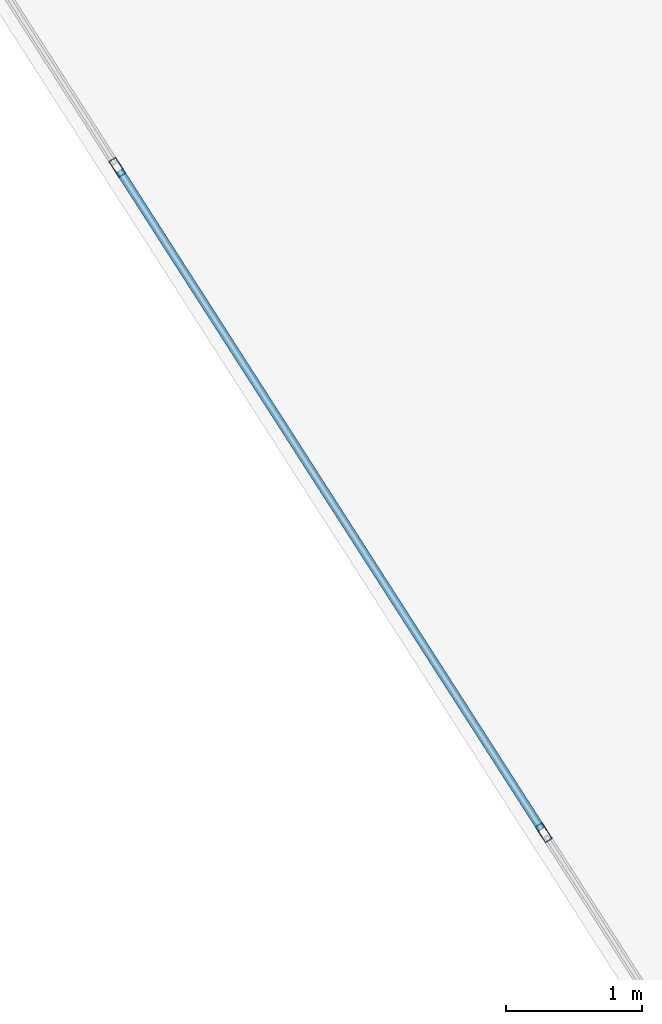
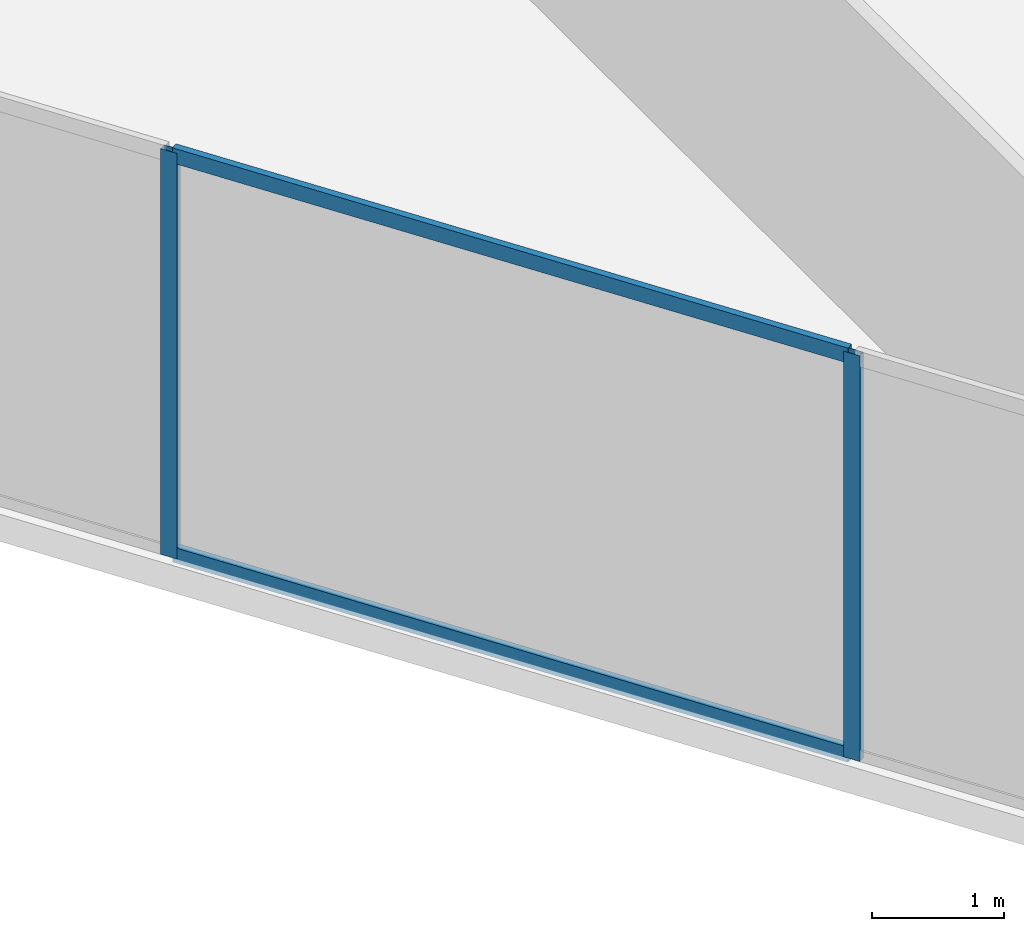
# One storey, part 17 of 26: 4 members, 1 element without a shape of its own.
"""IFC4 building model written with IfcOpenShell, lengths in metres."""

from ifc_helpers import new_model, si_unit, direction, frame, origin, origin_2d, place, context, subcontext, project, spatial, hollow_rectangle, extrude, material, layer, layer_set, material_profile, profile_set, type_object, element, aggregate, save


model = new_model("IFC4")

# Units and contexts
model_context = context("Model", 3, precision=1e-05, world=origin(), true_north=direction((0.0, 1.0)))
body_context = subcontext(model_context, "Body", "Model", "MODEL_VIEW")
ifc_project = project(units=[si_unit("LENGTHUNIT", "METRE"), si_unit("AREAUNIT", "SQUARE_METRE"), si_unit("VOLUMEUNIT", "CUBIC_METRE"), si_unit("PLANEANGLEUNIT", "RADIAN"), si_unit("MASSUNIT", "GRAM", prefix="KILO")], contexts=[model_context])

# Site, building, storey
site_placement = place(None, origin())
site = spatial("IfcSite", under=ifc_project, at=site_placement, CompositionType="ELEMENT")
building_placement = place(site_placement, origin())
building = spatial("IfcBuilding", under=site, at=building_placement, Name="Kravanh Interchange Tower", CompositionType="ELEMENT")
storey_placement = place(building_placement, frame((0.0, 0.0, 100.0)))
storey = spatial("IfcBuildingStorey", under=building, at=storey_placement, Name="L23", CompositionType="ELEMENT", Elevation=100.0)

# Curtain wall, members
ifc_material_1 = material(Name="Anodised Bronze Aluminium", Category="aluminium")
ifc_layer = layer(ifc_material_1, 0.179931640625)
ifc_layer_set = layer_set([ifc_layer], Name="Unitised Curtain Wall System CW-Z2 Mid Office")
curtain_wall_type = type_object("IfcCurtainWallType", Name="Unitised Curtain Wall System CW-Z2 Mid Office", PredefinedType="NOTDEFINED", material=ifc_layer_set)
curtain_wall_placement = place(storey_placement, origin())
curtain_wall = element("IfcCurtainWall", 1, at=curtain_wall_placement, inside=storey, type_object=curtain_wall_type, Name="L23 Unitised Curtain Wall CW-L23-04", PredefinedType="NOTDEFINED")
ifc_material_2 = material(Name="Anodised Bronze Aluminium", Category="aluminium")
ifc_material_profile_1 = material_profile(ifc_material_2, hollow_rectangle(XDim=0.06005859375, YDim=0.139892578125, WallThickness=0.00390625, at=origin_2d()), Name="ALU60X140X4")
ifc_profile_set_1 = profile_set([ifc_material_profile_1], Name="Anodised Bronze Aluminium")
member_type_1 = type_object("IfcMemberType", Name="Curtain Wall Mullion ALU60X140X4 Bronze", PredefinedType="MULLION", material=ifc_profile_set_1)
member_1_placement = place(storey_placement, frame((45.8828125, 16.12109375, 0.0), z_axis=(0.0, 0.0, 1.0), x_axis=(-0.841879939476, -0.539664865919, 0.0)))
member_1 = element("IfcMember", 2, at=member_1_placement, type_object=member_type_1, Name="CW-Z2 mullion 3", PredefinedType="MULLION", context=body_context, shape_type="SweptSolid", body=[
    extrude(hollow_rectangle(XDim=0.06005859375, YDim=0.139892578125, WallThickness=0.00390625, at=origin_2d()), origin(), (0.0, 0.0, 1.0), 3.75),
])
member_2_placement = place(storey_placement, frame((42.741455078125, 21.021728515625, 0.0), z_axis=(0.0, 0.0, 1.0), x_axis=(-0.841879939476, -0.539664865919, 0.0)))
member_2 = element("IfcMember", 3, at=member_2_placement, type_object=member_type_1, Name="CW-Z2 mullion 4", PredefinedType="MULLION", context=body_context, shape_type="SweptSolid", body=[
    extrude(hollow_rectangle(XDim=0.06005859375, YDim=0.139892578125, WallThickness=0.00390625, at=origin_2d()), origin(), (0.0, 0.0, 1.0), 3.75),
])
ifc_material_3 = material(Name="Anodised Bronze Aluminium", Category="aluminium")
ifc_material_profile_2 = material_profile(ifc_material_3, hollow_rectangle(XDim=0.06005859375, YDim=0.139892578125, WallThickness=0.00390625, at=origin_2d()), Name="ALU60X140X4")
ifc_profile_set_2 = profile_set([ifc_material_profile_2], Name="Anodised Bronze Aluminium")
member_type_2 = type_object("IfcMemberType", Name="Curtain Wall Transom ALU60X140X4 Bronze", PredefinedType="USERDEFINED", material=ifc_profile_set_2)
member_3_placement = place(storey_placement, frame((45.86669921875, 16.146484375, 0.030029296875), z_axis=(-0.539677666788, 0.84187173368, 0.0), x_axis=(-0.84187173368, -0.539677666788, 0.0)))
member_3 = element("IfcMember", 4, at=member_3_placement, type_object=member_type_2, Name="CW-Z2 transom 3.1", ObjectType="TRANSOM", PredefinedType="USERDEFINED", context=body_context, shape_type="SweptSolid", body=[
    extrude(hollow_rectangle(XDim=0.06005859375, YDim=0.139892578125, WallThickness=0.00390625, at=origin_2d()), origin(), (0.0, 0.0, 1.0), 5.760986328125),
])
member_4_placement = place(storey_placement, frame((45.86669921875, 16.146484375, 3.719970703125), z_axis=(-0.539677666788, 0.84187173368, 0.0), x_axis=(-0.84187173368, -0.539677666788, 0.0)))
member_4 = element("IfcMember", 5, at=member_4_placement, type_object=member_type_2, Name="CW-Z2 transom 3.2", ObjectType="TRANSOM", PredefinedType="USERDEFINED", context=body_context, shape_type="SweptSolid", body=[
    extrude(hollow_rectangle(XDim=0.06005859375, YDim=0.139892578125, WallThickness=0.00390625, at=origin_2d()), origin(), (0.0, 0.0, 1.0), 5.760986328125),
])
aggregate(curtain_wall, [member_1, member_2, member_3, member_4])

save(model, "model.ifc")
